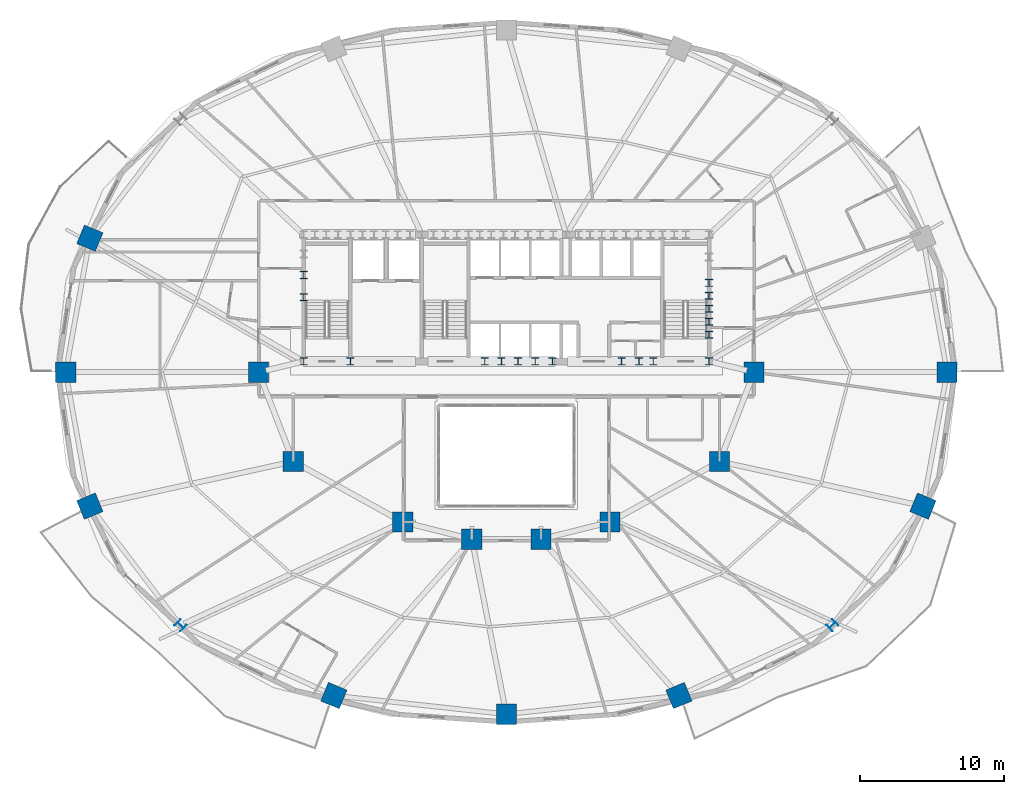
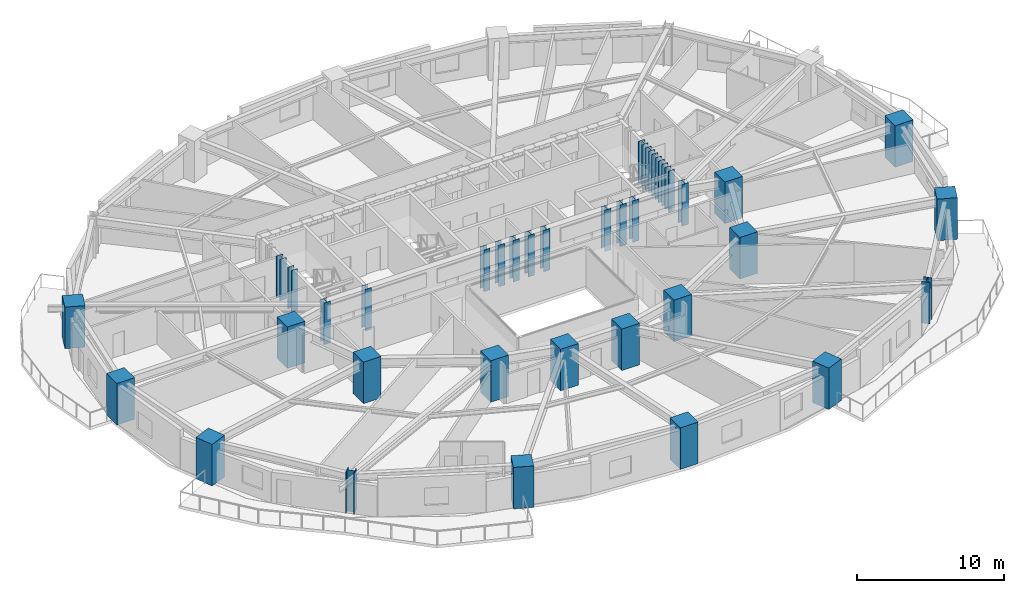
# One storey, part 1 of 17: 36 columns.
"""IFC4 building model written with IfcOpenShell, lengths in metres."""

import ifcopenshell
import ifcopenshell.guid

model = None  # the IFC model being written
_history = None  # IfcOwnerHistory: only IFC2X3 demands one
_inside = {}  # id of a spatial element -> (the spatial element, [elements in it])
_under = {}  # id of a project, library or spatial element -> (it, [spatial elements below it])
_declared = {}  # id of a project -> (the project, [libraries it declares])
_typed = {}  # id of a type object -> (the type object, [elements of that type])
_made_of = {}  # id of a material, layer set ... -> (it, [elements and type objects made of it])


def new_model(schema):
    """Start an empty IFC model of exactly this schema.

    Asked for "IFC4X3", IfcOpenShell would pick the latest addendum, in which some entities
    have other attributes; the version numbers below select the first issue.
    IFC2X3 requires an IfcOwnerHistory on every rooted entity: one is made here for all.
    """
    global model, _history
    if schema == "IFC4X3":
        model = ifcopenshell.file(schema_version=(4, 3, 0, 0))
    else:
        model = ifcopenshell.file(schema=schema)
    _inside.clear()
    _under.clear()
    _declared.clear()
    _typed.clear()
    _made_of.clear()
    _history = None
    if model.schema == "IFC2X3":
        org = make("IfcOrganization", Name="unknown")
        user = make(
            "IfcPersonAndOrganization",
            ThePerson=make("IfcPerson", FamilyName="unknown"),
            TheOrganization=org,
        )
        app = make(
            "IfcApplication",
            ApplicationDeveloper=org,
            Version="unknown",
            ApplicationFullName="unknown",
            ApplicationIdentifier="unknown",
        )
        _history = make(
            "IfcOwnerHistory",
            OwningUser=user,
            OwningApplication=app,
            ChangeAction="ADDED",
            CreationDate=0,
        )
    return model


def make(cls, **values):
    """One entity of the class cls with the attributes given. An attribute that is None is left unset."""
    return model.create_entity(
        cls, **{name: value for name, value in values.items() if value is not None}
    )


def rooted(cls, **values):
    """An entity with a GlobalId (a new one), such as an element, a storey or a relation."""
    return make(cls, GlobalId=ifcopenshell.guid.new(), OwnerHistory=_history, **values)


def si_unit(unit_type, name, prefix=None):
    """IfcSIUnit, for example si_unit("LENGTHUNIT", "METRE", prefix="MILLI")."""
    return make("IfcSIUnit", UnitType=unit_type, Prefix=prefix, Name=name)


def assignment(units):
    """IfcUnitAssignment: the units of a project."""
    return None if units is None else make("IfcUnitAssignment", Units=units)


def point(xyz):
    """IfcCartesianPoint."""
    return None if xyz is None else make("IfcCartesianPoint", Coordinates=xyz)


def direction(xyz):
    """IfcDirection."""
    return None if xyz is None else make("IfcDirection", DirectionRatios=xyz)


def frame(location, z_axis=None, x_axis=None):
    """IfcAxis2Placement3D, a coordinate frame: its origin and axes. An axis left out is left unset."""
    return make(
        "IfcAxis2Placement3D",
        Location=point(location),
        Axis=direction(z_axis),
        RefDirection=direction(x_axis),
    )


def frame_2d(location, x_axis=None):
    """IfcAxis2Placement2D, a coordinate frame in the plane: its origin and x axis."""
    return make(
        "IfcAxis2Placement2D", Location=point(location), RefDirection=direction(x_axis)
    )


def origin():
    """The frame at (0, 0, 0) with its axes left unset."""
    return frame((0.0, 0.0, 0.0))


def origin_2d():
    """The frame at (0, 0) in the plane with its x axis left unset."""
    return frame_2d((0.0, 0.0))


def place(relative_to, where):
    """IfcLocalPlacement: puts the frame where relative to a parent placement (None: the world)."""
    return make(
        "IfcLocalPlacement", PlacementRelTo=relative_to, RelativePlacement=where
    )


def context(
    kind, dimensions, precision=None, world=None, true_north=None, identifier=None
):
    """IfcGeometricRepresentationContext, for example the 3D "Model" context."""
    return make(
        "IfcGeometricRepresentationContext",
        ContextIdentifier=identifier,
        ContextType=kind,
        CoordinateSpaceDimension=dimensions,
        Precision=precision,
        WorldCoordinateSystem=world,
        TrueNorth=true_north,
    )


def subcontext(parent, identifier, kind, view, scale=None):
    """IfcGeometricRepresentationSubContext, for example "Body" below "Model"."""
    return make(
        "IfcGeometricRepresentationSubContext",
        ContextIdentifier=identifier,
        ContextType=kind,
        ParentContext=parent,
        TargetScale=scale,
        TargetView=view,
    )


def project(units=None, contexts=None):
    """IfcProject with its units and contexts."""
    return rooted(
        "IfcProject",
        Name="project",
        RepresentationContexts=contexts,
        UnitsInContext=assignment(units),
    )


def spatial(cls, under=None, at=None, **own):
    """A site, building, storey or space (cls), placed at a placement, below another one or the project."""
    s = rooted(cls, ObjectPlacement=at, **own)
    if under is not None:
        _under.setdefault(under.id(), (under, []))[1].append(s)
    return s


def profile(cls, at=None, kind="AREA", **sizes):
    """A parametric profile (cls). Its sizes go by their IFC names, for example OverallWidth=200.0."""
    return make(cls, ProfileType=kind, Position=at, **sizes)


def rectangle(**sizes):
    """IfcRectangleProfileDef."""
    return profile("IfcRectangleProfileDef", **sizes)


def i_section(**sizes):
    """IfcIShapeProfileDef."""
    return profile("IfcIShapeProfileDef", **sizes)


def extrude(swept, where, along, depth):
    """IfcExtrudedAreaSolid: the profile swept, set in the frame where, extruded along a direction by depth."""
    return make(
        "IfcExtrudedAreaSolid",
        SweptArea=swept,
        Position=where,
        ExtrudedDirection=direction(along),
        Depth=depth,
    )


def shape(context_of_items, identifier, shape_type, items):
    """IfcShapeRepresentation: the items that make up one representation, for example the "Body"."""
    return make(
        "IfcShapeRepresentation",
        ContextOfItems=context_of_items,
        RepresentationIdentifier=identifier,
        RepresentationType=shape_type,
        Items=items,
    )


def material(Name=None, Category=None):
    """IfcMaterial."""
    return make("IfcMaterial", Name=Name, Category=Category)


def material_profile(
    of_material, cross_section, Name=None, Category=None, Priority=None
):
    """IfcMaterialProfile: a cross section and its material."""
    return make(
        "IfcMaterialProfile",
        Name=Name,
        Material=of_material,
        Profile=cross_section,
        Priority=Priority,
        Category=Category,
    )


def profile_set(profiles, Name=None, composite=None):
    """IfcMaterialProfileSet."""
    return make(
        "IfcMaterialProfileSet",
        Name=Name,
        MaterialProfiles=profiles,
        CompositeProfile=composite,
    )


def made_of(thing, what):
    """Note that an element or type object is made of a material, layer set ...; save() writes the relation."""
    if what is not None:
        _made_of.setdefault(what.id(), (what, []))[1].append(thing)
    return thing


def type_object(cls, material=None, **own):
    """A type object (cls), such as IfcWallType, which elements share."""
    return made_of(rooted(cls, **own), material)


def element(
    cls,
    number,
    at=None,
    inside=None,
    cuts=None,
    type_object=None,
    material=None,
    context=None,
    identifier="Body",
    shape_type=None,
    held_by="IfcProductDefinitionShape",
    body=None,
    shapes=None,
    **own,
):
    """One element of the class cls, such as IfcWall. Its Tag is "e" and its number.

    at: its placement. inside: the storey or other place that contains it. cuts: it is an
    opening in that element (IfcRelVoidsElement). A single representation is given by context,
    identifier, shape_type and body (its items); several are given by shapes. held_by: the class
    of the entity that holds the representations. save() writes the other relations.
    """
    e = rooted(cls, Tag="e%d" % number, ObjectPlacement=at, **own)
    if body is not None:
        shapes = [shape(context, identifier, shape_type, body)]
    if shapes is not None:
        e.Representation = make(held_by, Representations=shapes)
    if inside is not None:
        _inside.setdefault(inside.id(), (inside, []))[1].append(e)
    if cuts is not None:
        rooted(
            "IfcRelVoidsElement", RelatingBuildingElement=cuts, RelatedOpeningElement=e
        )
    if type_object is not None:
        _typed.setdefault(type_object.id(), (type_object, []))[1].append(e)
    return made_of(e, material)


def aggregate(whole, parts):
    """IfcRelAggregates: a whole, such as a stair, and the parts it consists of."""
    return rooted("IfcRelAggregates", RelatingObject=whole, RelatedObjects=parts)


def save(model, path):
    """Write the relations noted so far, then the file.

    IfcRelAggregates (storeys below a building ...), IfcRelContainedInSpatialStructure (elements
    in a storey), IfcRelDefinesByType, IfcRelAssociatesMaterial and IfcRelDeclares: one each for
    every whole, place, type object, material and project.
    """
    for whole, parts in _under.values():
        aggregate(whole, parts)
    for where, things in _inside.values():
        rooted(
            "IfcRelContainedInSpatialStructure",
            RelatedElements=things,
            RelatingStructure=where,
        )
    for kind, things in _typed.values():
        rooted("IfcRelDefinesByType", RelatedObjects=things, RelatingType=kind)
    for what, things in _made_of.values():
        rooted("IfcRelAssociatesMaterial", RelatedObjects=things, RelatingMaterial=what)
    for by, libraries in _declared.values():
        rooted("IfcRelDeclares", RelatingContext=by, RelatedDefinitions=libraries)
    model.write(path)


model = new_model("IFC4")

# Units and contexts
model_context = context("Model", 3, precision=1e-05, world=origin(), true_north=direction((0.0, 1.0)))
body_context = subcontext(model_context, "Body", "Model", "MODEL_VIEW")
ifc_project = project(units=[si_unit("LENGTHUNIT", "METRE"), si_unit("AREAUNIT", "SQUARE_METRE"), si_unit("VOLUMEUNIT", "CUBIC_METRE"), si_unit("PLANEANGLEUNIT", "RADIAN"), si_unit("MASSUNIT", "GRAM", prefix="KILO")], contexts=[model_context])

# Site, building, storey
site_placement = place(None, origin())
site = spatial("IfcSite", under=ifc_project, at=site_placement, CompositionType="ELEMENT")
building_placement = place(site_placement, origin())
building = spatial("IfcBuilding", under=site, at=building_placement, Name="Haldorwick Loom Tower", CompositionType="ELEMENT")
storey_placement = place(building_placement, frame((0.0, 0.0, 61.949951171875)))
storey = spatial("IfcBuildingStorey", under=building, at=storey_placement, Name="L16", CompositionType="ELEMENT", Elevation=61.949951171875)

# Columns
ifc_material_1 = material(Name="Concrete C60 (60 MPa)", Category="concrete")
ifc_material_profile_1 = material_profile(ifc_material_1, rectangle(XDim=1.39990234375, YDim=1.39990234375, at=origin_2d()), Name="RC1400X1400", Category="concrete")
ifc_profile_set_1 = profile_set([ifc_material_profile_1], Name="Concrete C60 (60 MPa)")
column_type_1 = type_object("IfcColumnType", Name="STR-COL-MEGA1400", PredefinedType="COLUMN", material=ifc_profile_set_1)
for number, where, z_axis, x_axis, name in (
    (1, (53.199951171875, 26.0, 0.0), (0.0, 0.0, 1.0), (1.0, 0.0, 0.0), "L16 Inner Column IC-01"),
    (2, (50.800048828125, 19.800048828125, 0.0), (0.0, 0.0, 1.0), (1.0, 0.0, 0.0), "L16 Inner Column IC-02"),
    (3, (43.199951171875, 15.60009765625, 0.0), (0.0, 0.0, 1.0), (1.0, 0.0, 0.0), "L16 Inner Column IC-03"),
    (4, (38.39990234375, 14.39990234375, 0.0), (0.0, 0.0, 1.0), (1.0, 0.0, 0.0), "L16 Inner Column IC-04"),
    (5, (33.60009765625, 14.39990234375, 0.0), (0.0, 0.0, 1.0), (1.0, 0.0, 0.0), "L16 Inner Column IC-05"),
    (6, (28.800048828125, 15.60009765625, 0.0), (0.0, 0.0, 1.0), (1.0, 0.0, 0.0), "L16 Inner Column IC-06"),
    (7, (21.199951171875, 19.800048828125, 0.0), (0.0, 0.0, 1.0), (1.0, 0.0, 0.0), "L16 Inner Column IC-07"),
    (8, (18.800048828125, 26.0, 0.0), (0.0, 0.0, 1.0), (1.0, 0.0, 0.0), "L16 Inner Column IC-08"),
):
    element("IfcColumn", number, at=place(storey_placement, frame(where, z_axis=z_axis, x_axis=x_axis)), inside=storey, type_object=column_type_1, Name=name, PredefinedType="COLUMN", context=body_context, shape_type="SweptSolid", body=[
        extrude(rectangle(XDim=1.39990234375, YDim=1.39990234375, at=origin_2d()), origin(), (0.0, 0.0, 1.0), 3.449951171875),
    ])
ifc_material_profile_2 = material_profile(ifc_material_1, rectangle(XDim=1.39990234375, YDim=1.39990234375, at=origin_2d()), Name="RC1400X1400", Category="concrete")
ifc_profile_set_2 = profile_set([ifc_material_profile_2], Name="Concrete C60 (60 MPa)")
column_type_2 = type_object("IfcColumnType", Name="STR-COL-RC1400", PredefinedType="PILASTER", material=ifc_profile_set_2)
for number, where, z_axis, x_axis, name in (
    (9, (66.595947265625, 26.0, 0.0), (0.0, 0.0, 1.0), (1.0, 0.0, 0.0), "L16 Perimeter Pier Column P01"),
    (10, (7.08251953125, 35.29931640625, 0.0), (0.0, 0.0, 1.0), (-0.923879532511, 0.382683432365, 0.0), "L16 Perimeter Pier Column P08"),
    (11, (5.404052734375, 26.0, 0.0), (0.0, 0.0, 1.0), (-1.0, 0.0, 0.0), "L16 Perimeter Pier Column P09"),
    (12, (7.08251953125, 16.70068359375, 0.0), (0.0, 0.0, 1.0), (-0.923879532511, -0.382683432365, 0.0), "L16 Perimeter Pier Column P10"),
    (13, (24.02197265625, 3.5498046875, 0.0), (0.0, 0.0, 1.0), (-0.382683432365, -0.923879532511, 0.0), "L16 Perimeter Pier Column P12"),
    (14, (36.0, 2.25, 0.0), (0.0, 0.0, 1.0), (0.0, -1.0, 0.0), "L16 Perimeter Pier Column P13"),
    (15, (47.97802734375, 3.5498046875, 0.0), (0.0, 0.0, 1.0), (0.382683432365, -0.923879532511, 0.0), "L16 Perimeter Pier Column P14"),
    (16, (64.91748046875, 16.70068359375, 0.0), (0.0, 0.0, 1.0), (0.923879532511, -0.382683432365, 0.0), "L16 Perimeter Pier Column P16"),
):
    element("IfcColumn", number, at=place(storey_placement, frame(where, z_axis=z_axis, x_axis=x_axis)), inside=storey, type_object=column_type_2, Name=name, PredefinedType="PILASTER", context=body_context, shape_type="SweptSolid", body=[
        extrude(rectangle(XDim=1.39990234375, YDim=1.39990234375, at=origin_2d()), origin(), (0.0, 0.0, 1.0), 3.449951171875),
    ])
ifc_material_2 = material(Name="Steel CSA G40.21 350WT", Category="steel")
ifc_material_profile_3 = material_profile(ifc_material_2, i_section(OverallWidth=0.5, OverallDepth=0.5, WebThickness=0.02197265625, FlangeThickness=0.031982421875, at=origin_2d()), Name="WWF500X500", Category="steel")
ifc_profile_set_3 = profile_set([ifc_material_profile_3], Name="Steel CSA G40.21 350WT")
column_type_3 = type_object("IfcColumnType", Name="STR-COL-WWF500", PredefinedType="COLUMN", material=ifc_profile_set_3)
for number, where, z_axis, x_axis, name in (
    (17, (21.929931640625, 26.75, 0.0), (0.0, 0.0, 1.0), (1.0, 0.0, 0.0), "L16 Core Pilaster CB-19"),
    (18, (25.169921875, 26.75, 0.0), (0.0, 0.0, 1.0), (1.0, 0.0, 0.0), "L16 Core Pilaster CB-20"),
    (19, (34.5, 26.75, 0.0), (0.0, 0.0, 1.0), (1.0, 0.0, 0.0), "L16 Core Pilaster CB-21"),
    (20, (36.800048828125, 26.75, 0.0), (0.0, 0.0, 1.0), (1.0, 0.0, 0.0), "L16 Core Pilaster CB-22"),
    (21, (39.199951171875, 26.75, 0.0), (0.0, 0.0, 1.0), (1.0, 0.0, 0.0), "L16 Core Pilaster CB-23"),
    (22, (45.199951171875, 26.75, 0.0), (0.0, 0.0, 1.0), (1.0, 0.0, 0.0), "L16 Core Pilaster CB-24"),
    (23, (50.070068359375, 26.75, 0.0), (0.0, 0.0, 1.0), (1.0, 0.0, 0.0), "L16 Core Pilaster CB-25"),
    (24, (21.929931640625, 31.199951171875, 0.0), (0.0, 0.0, 1.0), (1.0, 0.0, 0.0), "L16 Core Pilaster CB-26"),
    (25, (21.929931640625, 32.75, 0.0), (0.0, 0.0, 1.0), (1.0, 0.0, 0.0), "L16 Core Pilaster CB-27"),
    (26, (50.070068359375, 28.60009765625, 0.0), (0.0, 0.0, 1.0), (1.0, 0.0, 0.0), "L16 Core Pilaster CB-29"),
    (27, (50.070068359375, 30.39990234375, 0.0), (0.0, 0.0, 1.0), (1.0, 0.0, 0.0), "L16 Core Pilaster CB-30"),
    (28, (50.070068359375, 32.199951171875, 0.0), (0.0, 0.0, 1.0), (1.0, 0.0, 0.0), "L16 Core Pilaster CB-31"),
    (29, (50.070068359375, 29.5, 0.0), (0.0, 0.0, 1.0), (1.0, 0.0, 0.0), "L16 Core Pilaster CB-49"),
    (30, (50.070068359375, 31.300048828125, 0.0), (0.0, 0.0, 1.0), (1.0, 0.0, 0.0), "L16 Core Pilaster CB-50"),
    (31, (35.64990234375, 26.75, 0.0), (0.0, 0.0, 1.0), (1.0, 0.0, 0.0), "L16 Core Pilaster CB-51"),
    (32, (38.0, 26.75, 0.0), (0.0, 0.0, 1.0), (1.0, 0.0, 0.0), "L16 Core Pilaster CB-52"),
    (33, (44.0, 26.75, 0.0), (0.0, 0.0, 1.0), (1.0, 0.0, 0.0), "L16 Core Pilaster CB-53"),
    (34, (46.199951171875, 26.75, 0.0), (0.0, 0.0, 1.0), (1.0, 0.0, 0.0), "L16 Core Pilaster CB-54"),
):
    element("IfcColumn", number, at=place(storey_placement, frame(where, z_axis=z_axis, x_axis=x_axis)), inside=storey, type_object=column_type_3, Name=name, PredefinedType="COLUMN", context=body_context, shape_type="SweptSolid", body=[
        extrude(i_section(OverallWidth=0.5, OverallDepth=0.5, WebThickness=0.02197265625, FlangeThickness=0.031982421875, at=origin_2d()), origin(), (0.0, 0.0, 1.0), 3.449951171875),
    ])
ifc_material_profile_4 = material_profile(ifc_material_2, i_section(OverallWidth=0.60009765625, OverallDepth=0.60009765625, WebThickness=0.02490234375, FlangeThickness=0.035888671875, at=origin_2d()), Name="WWF600X600", Category="steel")
ifc_profile_set_4 = profile_set([ifc_material_profile_4], Name="Steel CSA G40.21 350WT")
column_type_4 = type_object("IfcColumnType", Name="STR-COL-WWF600", PredefinedType="COLUMN", material=ifc_profile_set_4)
for number, where, z_axis, x_axis, name in (
    (35, (13.369873046875, 8.428466796875, 0.0), (0.0, 0.0, 1.0), (-0.707106781187, -0.707106781187, 0.0), "L16 Perimeter Pier Column P11"),
    (36, (58.630126953125, 8.428466796875, 0.0), (0.0, 0.0, 1.0), (0.707106781187, -0.707106781187, 0.0), "L16 Perimeter Pier Column P15"),
):
    element("IfcColumn", number, at=place(storey_placement, frame(where, z_axis=z_axis, x_axis=x_axis)), inside=storey, type_object=column_type_4, Name=name, PredefinedType="COLUMN", context=body_context, shape_type="SweptSolid", body=[
        extrude(i_section(OverallWidth=0.60009765625, OverallDepth=0.60009765625, WebThickness=0.02490234375, FlangeThickness=0.035888671875, at=origin_2d()), origin(), (0.0, 0.0, 1.0), 3.449951171875),
    ])

save(model, "model.ifc")
